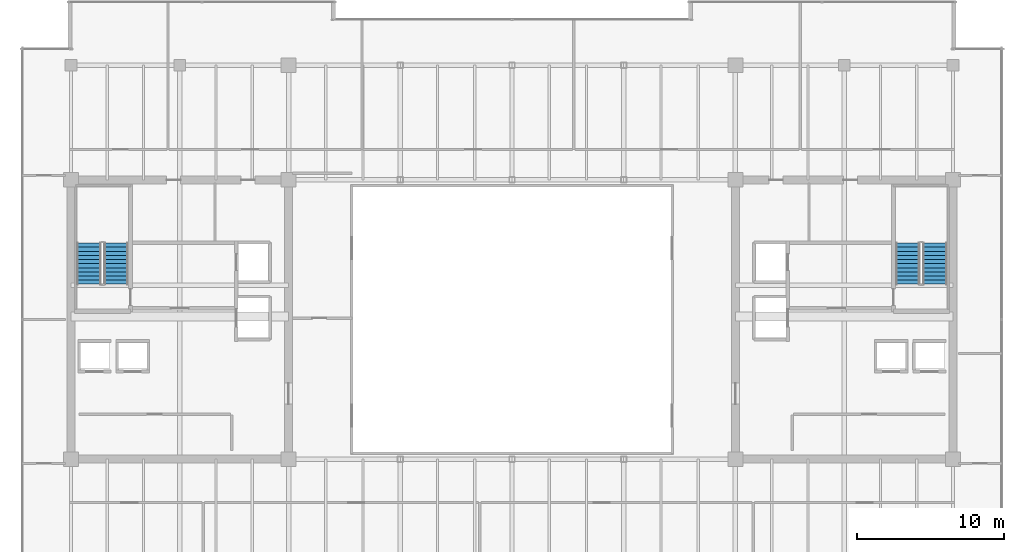
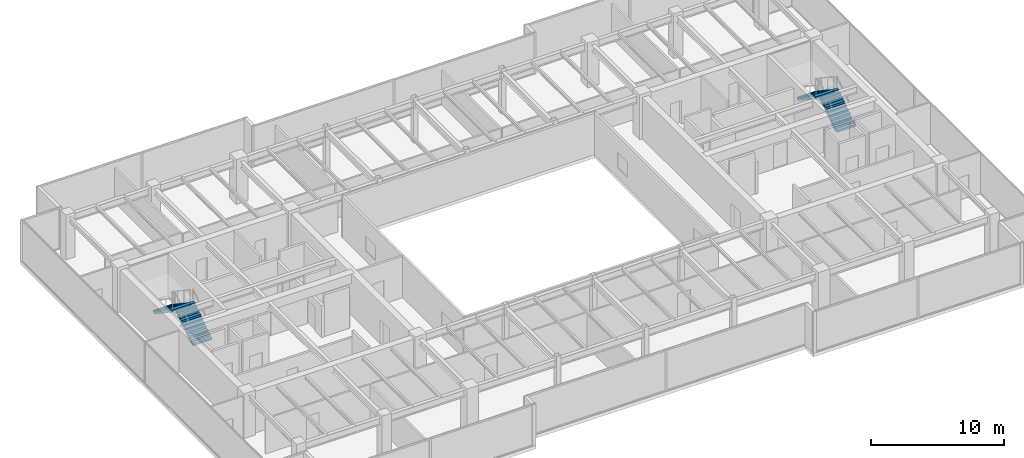
# One storey, part 31 of 33: 4 stair flights, 2 elements without a shape of their own.
"""IFC4 building model written with IfcOpenShell, lengths in metres."""

from ifc_helpers import new_model, si_unit, direction, frame, origin, place, context, subcontext, project, spatial, polyline, outline, extrude, source, transform, mapped, material, type_object, type_shapes, element, aggregate, save


model = new_model("IFC4")

# Units and contexts
model_context = context("Model", 3, precision=1e-05, world=origin(), true_north=direction((0.0, 1.0)))
body_context = subcontext(model_context, "Body", "Model", "MODEL_VIEW")
ifc_project = project(units=[si_unit("LENGTHUNIT", "METRE"), si_unit("AREAUNIT", "SQUARE_METRE"), si_unit("VOLUMEUNIT", "CUBIC_METRE"), si_unit("PLANEANGLEUNIT", "RADIAN"), si_unit("MASSUNIT", "GRAM", prefix="KILO")], contexts=[model_context])

# Site, building, storey
site_placement = place(None, origin())
site = spatial("IfcSite", under=ifc_project, at=site_placement, CompositionType="ELEMENT")
building_placement = place(site_placement, origin())
building = spatial("IfcBuilding", under=site, at=building_placement, Name="Haelvirn Gate Laboratories", CompositionType="ELEMENT")
storey_placement = place(building_placement, frame((0.0, 0.0, 217.800048828125)))
storey = spatial("IfcBuildingStorey", under=building, at=storey_placement, Name="L52", CompositionType="ELEMENT", Elevation=217.800048828125)

# Stair, stair flights
ifc_material = material(Name="Concrete C40/50", Category="concrete")
stair_type = type_object("IfcStairType", Name="ST-DOG-1650-R22", PredefinedType="HALF_TURN_STAIR", material=ifc_material)
stair_1_placement = place(storey_placement, origin())
stair_1 = element("IfcStair", 1, at=stair_1_placement, inside=storey, type_object=stair_type, Name="L52 Escape Stair ST1", PredefinedType="HALF_TURN_STAIR")
stair_flight_type = type_object("IfcStairFlightType", Name="STF-1650-R11", PredefinedType="STRAIGHT", material=ifc_material)
shared_shape = source(origin(), body_context, "Body", "SweptSolid", [
    extrude(outline(polyline([(0.0, 0.0), (0.0, 0.186279296875), (0.280029296875, 0.186279296875), (0.280029296875, 0.372802734375), (0.56005859375, 0.372802734375), (0.56005859375, 0.55908203125), (0.840087890625, 0.55908203125), (0.840087890625, 0.745361328125), (1.1201171875, 0.745361328125), (1.1201171875, 0.931884765625), (1.39990234375, 0.931884765625), (1.39990234375, 1.1181640625), (1.679931640625, 1.1181640625), (1.679931640625, 1.304443359375), (1.9599609375, 1.304443359375), (1.9599609375, 1.490966796875), (2.239990234375, 1.490966796875), (2.239990234375, 1.67724609375), (2.52001953125, 1.67724609375), (2.52001953125, 1.863525390625), (2.800048828125, 1.863525390625), (2.800048828125, 2.050048828125), (2.800048828125, 1.671630859375), (0.28857421875, 0.0), (0.0, 0.0)])), frame((0.0, 0.824951171875, 0.0), z_axis=(0.0, -1.0, 0.0), x_axis=(1.0, 0.0, 0.0)), (0.0, 0.0, 1.0), 1.64990234375),
])
type_shapes(stair_flight_type, [shared_shape])
stair_flight_1_placement = place(storey_placement, frame((10.47509765625, 26.699951171875, 0.0), z_axis=(0.0, 0.0, 1.0), x_axis=(0.0, 1.0, 0.0)))
stair_flight_1 = element("IfcStairFlight", 2, at=stair_flight_1_placement, type_object=stair_flight_type, Name="ST1 flight 1", NumberOfRisers=11, NumberOfTreads=10, PredefinedType="STRAIGHT", RiserHeight=0.186363636, TreadLength=0.28, context=body_context, shape_type="MappedRepresentation", body=[
    mapped(shared_shape, transform((0.0, 0.0, 0.0), scale=1.0)),
])
stair_flight_2_placement = place(storey_placement, frame((8.625, 29.5, 2.050048828125), z_axis=(0.0, 0.0, 1.0), x_axis=(0.0, -1.0, 0.0)))
stair_flight_2 = element("IfcStairFlight", 3, at=stair_flight_2_placement, type_object=stair_flight_type, Name="ST1 flight 2", NumberOfRisers=11, NumberOfTreads=10, PredefinedType="STRAIGHT", RiserHeight=0.186363636, TreadLength=0.28, context=body_context, shape_type="MappedRepresentation", body=[
    mapped(shared_shape, transform((0.0, 0.0, 0.0), scale=1.0)),
])
aggregate(stair_1, [stair_flight_1, stair_flight_2])

stair_2_placement = place(storey_placement, origin())
stair_2 = element("IfcStair", 4, at=stair_2_placement, inside=storey, type_object=stair_type, Name="L52 Escape Stair ST2", PredefinedType="HALF_TURN_STAIR")
stair_flight_3_placement = place(storey_placement, frame((66.175048828125, 26.699951171875, 0.0), z_axis=(0.0, 0.0, 1.0), x_axis=(0.0, 1.0, 0.0)))
stair_flight_3 = element("IfcStairFlight", 5, at=stair_flight_3_placement, type_object=stair_flight_type, Name="ST2 flight 1", NumberOfRisers=11, NumberOfTreads=10, PredefinedType="STRAIGHT", RiserHeight=0.186363636, TreadLength=0.28, context=body_context, shape_type="MappedRepresentation", body=[
    mapped(shared_shape, transform((0.0, 0.0, 0.0), scale=1.0)),
])
stair_flight_4_placement = place(storey_placement, frame((64.324951171875, 29.5, 2.050048828125), z_axis=(0.0, 0.0, 1.0), x_axis=(0.0, -1.0, 0.0)))
stair_flight_4 = element("IfcStairFlight", 6, at=stair_flight_4_placement, type_object=stair_flight_type, Name="ST2 flight 2", NumberOfRisers=11, NumberOfTreads=10, PredefinedType="STRAIGHT", RiserHeight=0.186363636, TreadLength=0.28, context=body_context, shape_type="MappedRepresentation", body=[
    mapped(shared_shape, transform((0.0, 0.0, 0.0), scale=1.0)),
])
aggregate(stair_2, [stair_flight_3, stair_flight_4])

save(model, "model.ifc")
